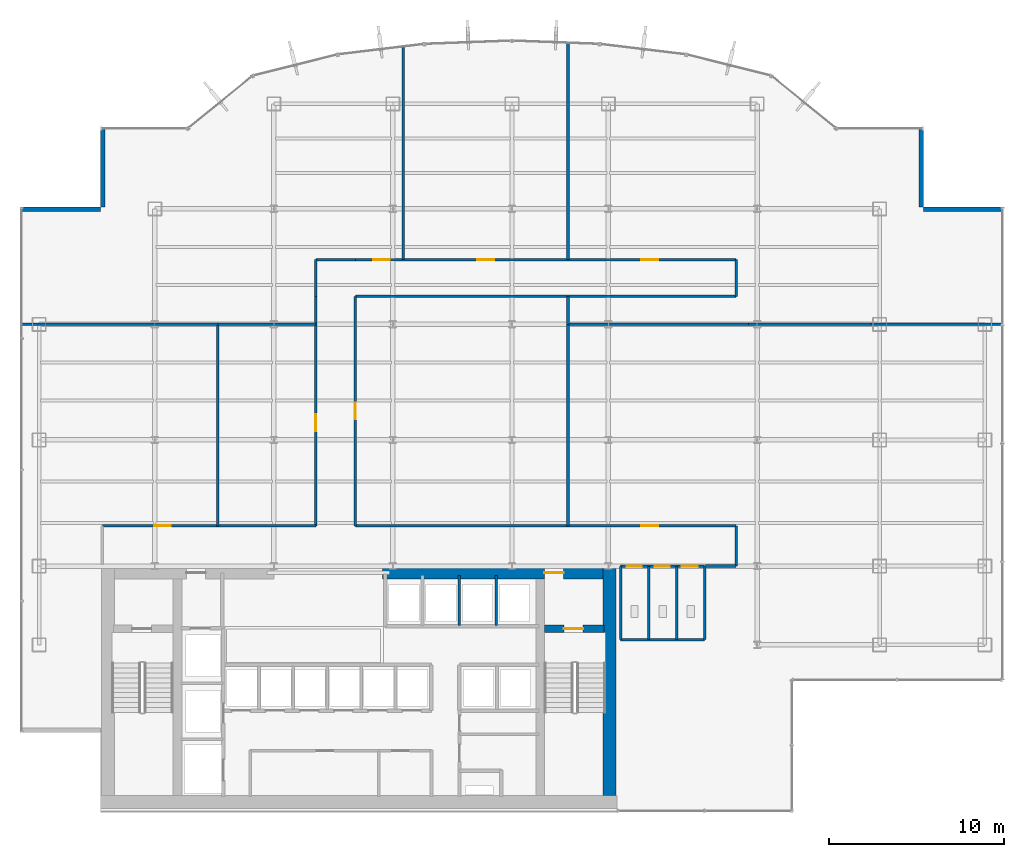
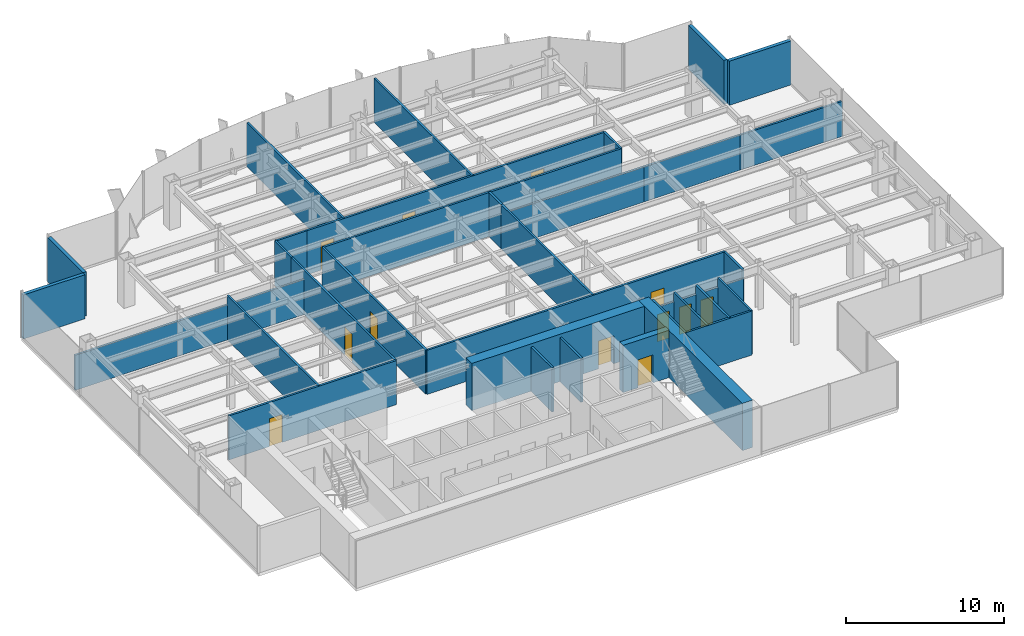
# One storey, part 22 of 26: 36 walls, 12 doors, 12 openings.
"""IFC4 building model written with IfcOpenShell, lengths in metres."""

from ifc_helpers import new_model, si_unit, derived_unit, direction, frame, frame_2d, origin, place, context, subcontext, project, spatial, rectangle, extrude, source, transform, mapped, material, layer, layer_set, type_object, element, fill, save


model = new_model("IFC4")

# Units and contexts
model_context = context("Model", 3, precision=1e-05, world=origin(), true_north=direction((0.0, 1.0)))
body_context = subcontext(model_context, "Body", "Model", "MODEL_VIEW")
ifc_project = project(units=[si_unit("LENGTHUNIT", "METRE"), si_unit("AREAUNIT", "SQUARE_METRE"), si_unit("VOLUMEUNIT", "CUBIC_METRE"), si_unit("PLANEANGLEUNIT", "RADIAN"), si_unit("MASSUNIT", "GRAM", prefix="KILO"), derived_unit("THERMALTRANSMITTANCEUNIT", [(si_unit("POWERUNIT", "WATT"), 1), (si_unit("LENGTHUNIT", "METRE"), -2), (si_unit("THERMODYNAMICTEMPERATUREUNIT", "KELVIN"), -1)])], contexts=[model_context])

# Site, building, storey
site_placement = place(None, origin())
site = spatial("IfcSite", under=ifc_project, at=site_placement, CompositionType="ELEMENT")
building_placement = place(site_placement, origin())
building = spatial("IfcBuilding", under=site, at=building_placement, Name="Skarnbrae Concourse Arena and Tower", CompositionType="ELEMENT")
storey_placement = place(building_placement, frame((0.0, 0.0, 92.300048828125)))
storey = spatial("IfcBuildingStorey", under=building, at=storey_placement, Name="L22", CompositionType="ELEMENT", Elevation=92.300048828125)

# Wall, opening, door
ifc_material_1 = material(Name="Concrete 50 MPa (C50/60)", Category="concrete")
ifc_layer_1 = layer(ifc_material_1, 0.449951171875)
ifc_layer_set_1 = layer_set([ifc_layer_1], Name="Concrete 50 MPa (C50/60)")
wall_type_1 = type_object("IfcWallType", Name="WALL-CORE-450-C50", PredefinedType="SHEAR", material=ifc_layer_set_1)
shared_shape_1 = source(origin(), body_context, "Body", "SweptSolid", [
    extrude(rectangle(XDim=3.389892578125, YDim=0.449951171875, at=frame_2d((1.69482421875, 0.0))), origin(), (0.0, 0.0, 1.0), 3.64990234375),
])
wall_1_placement = place(storey_placement, frame((29.860107421875, 10.419921875, 0.0), z_axis=(0.0, 0.0, 1.0), x_axis=(1.0, 0.0, 0.0)))
wall_1 = element("IfcWall", 1, at=wall_1_placement, inside=storey, type_object=wall_type_1, Name="L22 Rear core shear wall CW-ST2-N", PredefinedType="SHEAR", context=body_context, shape_type="MappedRepresentation", body=[
    mapped(shared_shape_1, transform((0.0, 0.0, 0.0))),
])
opening_1_placement = place(wall_1_placement, frame((1.10009765625, 0.0, 0.0)))
opening_1 = element("IfcOpeningElement", 2, at=opening_1_placement, cuts=wall_1, Name="Opening DT-03", PredefinedType="OPENING", context=body_context, shape_type="SweptSolid", body=[
    extrude(rectangle(XDim=1.10009765625, YDim=2.14990234375, at=frame_2d((0.550048828125, 1.074951171875))), frame((0.0, 0.23486328125, 0.0), z_axis=(0.0, -1.0, 0.0), x_axis=(1.0, 0.0, 0.0)), (0.0, 0.0, 1.0), 0.469970703125),
])
ifc_material_2 = material(Name="Steel CSA G40.21 350W", Category="steel")
door_type_1 = type_object("IfcDoorType", Name="DOOR-FIRE-1100-90M", OperationType="NOTDEFINED", PredefinedType="DOOR", material=ifc_material_2)
shared_shape_2 = source(origin(), body_context, "Body", "SweptSolid", [
    extrude(rectangle(XDim=1.10009765625, YDim=2.14990234375, at=frame_2d((0.550048828125, 1.074951171875))), frame((0.0, 0.02490234375, 0.0), z_axis=(0.0, -1.0, 0.0), x_axis=(1.0, 0.0, 0.0)), (0.0, 0.0, 1.0), 0.050048828125),
])
door_1_placement = place(opening_1_placement, frame((1.10009765625, 0.0, 0.0), z_axis=(0.0, 0.0, 1.0), x_axis=(-1.0, 0.0, 0.0)))
door_1 = element("IfcDoor", 3, at=door_1_placement, inside=storey, type_object=door_type_1, Name="D-0761 Stair ST-2 Door", OperationType="SINGLE_SWING_RIGHT", OverallHeight=2.14990234375, OverallWidth=1.10009765625, PredefinedType="DOOR", context=body_context, shape_type="MappedRepresentation", body=[
    mapped(shared_shape_2, transform((0.0, 0.0, 0.0))),
])
fill(opening_1, door_1)

# Wall
ifc_material_3 = material(Name="Concrete 60 MPa (C60/75)", Category="concrete")
ifc_layer_2 = layer(ifc_material_3, 0.75)
ifc_layer_set_2 = layer_set([ifc_layer_2], Name="Concrete 60 MPa (C60/75)")
wall_type_2 = type_object("IfcWallType", Name="WALL-CORE-750-C60", PredefinedType="SHEAR", material=ifc_layer_set_2)
shared_shape_3 = source(origin(), body_context, "Body", "SweptSolid", [
    extrude(rectangle(XDim=13.10009765625, YDim=0.75, at=frame_2d((6.550048828125, 0.0))), origin(), (0.0, 0.0, 1.0), 3.64990234375),
])
wall_2_placement = place(storey_placement, frame((33.574951171875, 0.89990234375, 0.0), z_axis=(0.0, 0.0, 1.0), x_axis=(0.0, 1.0, 0.0)))
element("IfcWall", 4, at=wall_2_placement, inside=storey, type_object=wall_type_2, Name="L22 Rear core shear wall CW-E", PredefinedType="SHEAR", context=body_context, shape_type="MappedRepresentation", body=[
    mapped(shared_shape_3, transform((0.0, 0.0, 0.0))),
])

# Wall, opening, door
shared_shape_4 = source(origin(), body_context, "Body", "SweptSolid", [
    extrude(rectangle(XDim=12.599853515625, YDim=0.75, at=frame_2d((6.2998046875, 0.0))), origin(), (0.0, 0.0, 1.0), 3.64990234375),
])
wall_3_placement = place(storey_placement, frame((20.60009765625, 13.625, 0.0), z_axis=(0.0, 0.0, 1.0), x_axis=(1.0, 0.0, 0.0)))
wall_3 = element("IfcWall", 5, at=wall_3_placement, inside=storey, type_object=wall_type_2, Name="L22 Rear core shear wall CW-NE", PredefinedType="SHEAR", context=body_context, shape_type="MappedRepresentation", body=[
    mapped(shared_shape_4, transform((0.0, 0.0, 0.0))),
])
opening_2_placement = place(wall_3_placement, frame((9.25, 0.0, 0.0)))
opening_2 = element("IfcOpeningElement", 6, at=opening_2_placement, cuts=wall_3, Name="Opening DT-03", PredefinedType="OPENING", context=body_context, shape_type="SweptSolid", body=[
    extrude(rectangle(XDim=1.10009765625, YDim=2.14990234375, at=frame_2d((0.550048828125, 1.074951171875))), frame((0.0, 0.385009765625, 0.0), z_axis=(0.0, -1.0, 0.0), x_axis=(1.0, 0.0, 0.0)), (0.0, 0.0, 1.0), 0.77001953125),
])
door_2_placement = place(opening_2_placement, origin())
door_2 = element("IfcDoor", 7, at=door_2_placement, inside=storey, type_object=door_type_1, Name="D-0763 Stair ST-2 Vestibule Door", OperationType="SINGLE_SWING_LEFT", OverallHeight=2.14990234375, OverallWidth=1.10009765625, PredefinedType="DOOR", context=body_context, shape_type="MappedRepresentation", body=[
    mapped(shared_shape_2, transform((0.0, 0.0, 0.0))),
])
fill(opening_2, door_2)

# Walls
ifc_material_4 = material(Name="Precast concrete 40 MPa (C40/50)", Category="concrete")
ifc_layer_3 = layer(ifc_material_4, 0.25)
ifc_layer_set_3 = layer_set([ifc_layer_3], Name="Precast concrete 40 MPa (C40/50)")
wall_type_3 = type_object("IfcWallType", Name="WALL-EXT-SPANDREL-250", PredefinedType="STANDARD", material=ifc_layer_set_3)
shared_shape_5 = source(origin(), body_context, "Body", "SweptSolid", [
    extrude(rectangle(XDim=4.5, YDim=0.25, at=frame_2d((2.25, 0.0))), origin(), (0.0, 0.0, 1.0), 3.39990234375),
])
for number, where, z_axis, x_axis, name in (
    (8, (56.0, 34.375, 0.0), (0.0, 0.0, 1.0), (-1.0, 0.0, 0.0), "L22 Notched corner insulated return wall 05"),
    (9, (51.375, 34.5, 0.0), (0.0, 0.0, 1.0), (0.0, 1.0, 0.0), "L22 Notched corner insulated return wall 06"),
    (10, (4.625, 39.0, 0.0), (0.0, 0.0, 1.0), (0.0, -1.0, 0.0), "L22 Notched corner insulated return wall 17"),
    (11, (4.5, 34.375, 0.0), (0.0, 0.0, 1.0), (-1.0, 0.0, 0.0), "L22 Notched corner insulated return wall 18"),
):
    element("IfcWall", number, at=place(storey_placement, frame(where, z_axis=z_axis, x_axis=x_axis)), inside=storey, type_object=wall_type_3, Name=name, PredefinedType="STANDARD", context=body_context, shape_type="MappedRepresentation", body=[
        mapped(shared_shape_5, transform((0.0, 0.0, 0.0))),
    ])
ifc_material_5 = material(Name="Gypsum board on cold-formed steel studs", Category="steel")
ifc_layer_4 = layer(ifc_material_5, 0.14990234375)
ifc_layer_set_4 = layer_set([ifc_layer_4], Name="Gypsum board on cold-formed steel studs")
wall_type_4 = type_object("IfcWallType", Name="WALL-PART-150", PredefinedType="PARTITIONING", material=ifc_layer_set_4)
shared_shape_6 = source(origin(), body_context, "Body", "SweptSolid", [
    extrude(rectangle(XDim=2.849853515625, YDim=0.14990234375, at=frame_2d((1.4248046875, 0.0))), origin(), (0.0, 0.0, 1.0), 3.39990234375),
])
for number, where, z_axis, x_axis, name in (
    (12, (24.989990234375, 10.60009765625, 0.0), (0.0, 0.0, 1.0), (0.0, 1.0, 0.0), "L22 Interior partition wall W-L22-B3N-P2"),
    (13, (27.090087890625, 10.60009765625, 0.0), (0.0, 0.0, 1.0), (0.0, 1.0, 0.0), "L22 Interior partition wall W-L22-B3N-P3"),
):
    element("IfcWall", number, at=place(storey_placement, frame(where, z_axis=z_axis, x_axis=x_axis)), inside=storey, type_object=wall_type_4, Name=name, PredefinedType="PARTITIONING", context=body_context, shape_type="MappedRepresentation", body=[
        mapped(shared_shape_6, transform((0.0, 0.0, 0.0))),
    ])
shared_shape_7 = source(origin(), body_context, "Body", "SweptSolid", [
    extrude(rectangle(XDim=4.800048828125, YDim=0.14990234375, at=frame_2d((2.39990234375, 0.0))), origin(), (0.0, 0.0, 1.0), 3.39990234375),
])
wall_4_placement = place(storey_placement, frame((34.199951171875, 9.800048828125, 0.0), z_axis=(0.0, 0.0, 1.0), x_axis=(1.0, 0.0, 0.0)))
element("IfcWall", 14, at=wall_4_placement, inside=storey, type_object=wall_type_4, Name="L22 Interior partition wall W-L22-WC-S", PredefinedType="PARTITIONING", context=body_context, shape_type="MappedRepresentation", body=[
    mapped(shared_shape_7, transform((0.0, 0.0, 0.0))),
])
shared_shape_8 = source(origin(), body_context, "Body", "SweptSolid", [
    extrude(rectangle(XDim=4.179931640625, YDim=0.14990234375, at=frame_2d((2.08984375, 0.0))), origin(), (0.0, 0.0, 1.0), 3.39990234375),
])
for number, where, z_axis, x_axis, name in (
    (15, (39.0, 9.800048828125, 0.0), (0.0, 0.0, 1.0), (0.0, 1.0, 0.0), "L22 Interior partition wall W-L22-WC-E"),
    (16, (34.199951171875, 9.800048828125, 0.0), (0.0, 0.0, 1.0), (0.0, 1.0, 0.0), "L22 Interior partition wall W-L22-WC-W"),
    (17, (35.800048828125, 9.800048828125, 0.0), (0.0, 0.0, 1.0), (0.0, 1.0, 0.0), "L22 Interior partition wall W-L22-WC-D1"),
    (18, (37.39990234375, 9.800048828125, 0.0), (0.0, 0.0, 1.0), (0.0, 1.0, 0.0), "L22 Interior partition wall W-L22-WC-D2"),
):
    element("IfcWall", number, at=place(storey_placement, frame(where, z_axis=z_axis, x_axis=x_axis)), inside=storey, type_object=wall_type_4, Name=name, PredefinedType="PARTITIONING", context=body_context, shape_type="MappedRepresentation", body=[
        mapped(shared_shape_8, transform((0.0, 0.0, 0.0))),
    ])
ifc_layer_5 = layer(ifc_material_5, 0.14990234375)
ifc_layer_set_5 = layer_set([ifc_layer_5], Name="Gypsum board on cold-formed steel studs")
wall_type_5 = type_object("IfcWallType", Name="WALL-PART-150-1HR", PredefinedType="PARTITIONING", material=ifc_layer_set_5)
shared_shape_9 = source(origin(), body_context, "Body", "SweptSolid", [
    extrude(rectangle(XDim=2.25, YDim=0.14990234375, at=frame_2d((1.125, 0.0))), origin(), (0.0, 0.0, 1.0), 3.39990234375),
])
wall_5_placement = place(storey_placement, frame((16.800048828125, 31.5, 0.0), z_axis=(0.0, 0.0, 1.0), x_axis=(1.0, 0.0, 0.0)))
element("IfcWall", 19, at=wall_5_placement, inside=storey, type_object=wall_type_5, Name="L22 Interior partition wall W-L22-COR-05", PredefinedType="PARTITIONING", context=body_context, shape_type="MappedRepresentation", body=[
    mapped(shared_shape_9, transform((0.0, 0.0, 0.0))),
])

# Wall, openings, doors
shared_shape_10 = source(origin(), body_context, "Body", "SweptSolid", [
    extrude(rectangle(XDim=4.800048828125, YDim=0.14990234375, at=frame_2d((2.39990234375, 0.0))), origin(), (0.0, 0.0, 1.0), 2.701904296875),
])
wall_6_placement = place(storey_placement, frame((34.199951171875, 13.97998046875, 0.0), z_axis=(0.0, 0.0, 1.0), x_axis=(1.0, 0.0, 0.0)))
wall_6 = element("IfcWall", 20, at=wall_6_placement, inside=storey, type_object=wall_type_4, Name="L22 Interior partition wall W-L22-WC-N", PredefinedType="PARTITIONING", context=body_context, shape_type="MappedRepresentation", body=[
    mapped(shared_shape_10, transform((0.0, 0.0, 0.0))),
])
opening_3_placement = place(wall_6_placement, frame((0.35009765625, 0.0, 0.0)))
opening_3 = element("IfcOpeningElement", 21, at=opening_3_placement, cuts=wall_6, Name="Opening DT-06", PredefinedType="OPENING", context=body_context, shape_type="SweptSolid", body=[
    extrude(rectangle(XDim=0.85009765625, YDim=2.10009765625, at=frame_2d((0.425048828125, 1.050048828125))), frame((0.0, 0.0849609375, 0.0), z_axis=(0.0, -1.0, 0.0), x_axis=(1.0, 0.0, 0.0)), (0.0, 0.0, 1.0), 0.169921875),
])
opening_4_placement = place(wall_6_placement, frame((1.949951171875, 0.0, 0.0)))
opening_4 = element("IfcOpeningElement", 22, at=opening_4_placement, cuts=wall_6, Name="Opening DT-06", PredefinedType="OPENING", context=body_context, shape_type="SweptSolid", body=[
    extrude(rectangle(XDim=0.85009765625, YDim=2.10009765625, at=frame_2d((0.425048828125, 1.050048828125))), frame((0.0, 0.0849609375, 0.0), z_axis=(0.0, -1.0, 0.0), x_axis=(1.0, 0.0, 0.0)), (0.0, 0.0, 1.0), 0.169921875),
])
opening_5_placement = place(wall_6_placement, frame((3.5, 0.0, 0.0)))
opening_5 = element("IfcOpeningElement", 23, at=opening_5_placement, cuts=wall_6, Name="Opening DT-05", PredefinedType="OPENING", context=body_context, shape_type="SweptSolid", body=[
    extrude(rectangle(XDim=0.89990234375, YDim=2.10009765625, at=frame_2d((0.449951171875, 1.050048828125))), frame((0.0, 0.0849609375, 0.0), z_axis=(0.0, -1.0, 0.0), x_axis=(1.0, 0.0, 0.0)), (0.0, 0.0, 1.0), 0.169921875),
])
ifc_material_6 = material(Name="Architectural oak veneer timber leaf", Category="wood")
door_type_2 = type_object("IfcDoorType", Name="DOOR-INT-850", OperationType="NOTDEFINED", PredefinedType="DOOR", material=ifc_material_6)
shared_shape_11 = source(origin(), body_context, "Body", "SweptSolid", [
    extrude(rectangle(XDim=0.85009765625, YDim=2.10009765625, at=frame_2d((0.425048828125, 1.050048828125))), frame((0.0, 0.02490234375, 0.0), z_axis=(0.0, -1.0, 0.0), x_axis=(1.0, 0.0, 0.0)), (0.0, 0.0, 1.0), 0.050048828125),
])
door_3_placement = place(opening_3_placement, frame((0.85009765625, 0.0, 0.0), z_axis=(0.0, 0.0, 1.0), x_axis=(-1.0, 0.0, 0.0)))
door_3 = element("IfcDoor", 24, at=door_3_placement, inside=storey, type_object=door_type_2, Name="D-0777 Male Washroom Door", OperationType="SINGLE_SWING_LEFT", OverallHeight=2.10009765625, OverallWidth=0.85009765625, PredefinedType="DOOR", context=body_context, shape_type="MappedRepresentation", body=[
    mapped(shared_shape_11, transform((0.0, 0.0, 0.0))),
])
fill(opening_3, door_3)
door_4_placement = place(opening_4_placement, frame((0.85009765625, 0.0, 0.0), z_axis=(0.0, 0.0, 1.0), x_axis=(-1.0, 0.0, 0.0)))
door_4 = element("IfcDoor", 25, at=door_4_placement, inside=storey, type_object=door_type_2, Name="D-0778 Female Washroom Door", OperationType="SINGLE_SWING_RIGHT", OverallHeight=2.10009765625, OverallWidth=0.85009765625, PredefinedType="DOOR", context=body_context, shape_type="MappedRepresentation", body=[
    mapped(shared_shape_11, transform((0.0, 0.0, 0.0))),
])
fill(opening_4, door_4)
door_type_3 = type_object("IfcDoorType", Name="DOOR-INT-900", OperationType="NOTDEFINED", PredefinedType="DOOR", material=ifc_material_6)
shared_shape_12 = source(origin(), body_context, "Body", "SweptSolid", [
    extrude(rectangle(XDim=0.89990234375, YDim=2.10009765625, at=frame_2d((0.449951171875, 1.050048828125))), frame((0.0, 0.02490234375, 0.0), z_axis=(0.0, -1.0, 0.0), x_axis=(1.0, 0.0, 0.0)), (0.0, 0.0, 1.0), 0.050048828125),
])
door_5_placement = place(opening_5_placement, frame((0.89990234375, 0.0, 0.0), z_axis=(0.0, 0.0, 1.0), x_axis=(-1.0, 0.0, 0.0)))
door_5 = element("IfcDoor", 26, at=door_5_placement, inside=storey, type_object=door_type_3, Name="D-0779 Accessible WC Door", OperationType="SINGLE_SWING_LEFT", OverallHeight=2.10009765625, OverallWidth=0.89990234375, PredefinedType="DOOR", context=body_context, shape_type="MappedRepresentation", body=[
    mapped(shared_shape_12, transform((0.0, 0.0, 0.0))),
])
fill(opening_5, door_5)

# Wall, opening, door
shared_shape_13 = source(origin(), body_context, "Body", "SweptSolid", [
    extrude(rectangle(XDim=12.199951171875, YDim=0.14990234375, at=frame_2d((6.10009765625, 0.0))), origin(), (0.0, 0.0, 1.0), 3.39990234375),
])
wall_7_placement = place(storey_placement, frame((4.60009765625, 16.300048828125, 0.0), z_axis=(0.0, 0.0, 1.0), x_axis=(1.0, 0.0, 0.0)))
wall_7 = element("IfcWall", 27, at=wall_7_placement, inside=storey, type_object=wall_type_5, Name="L22 Interior partition wall W-L22-COR-02", PredefinedType="PARTITIONING", context=body_context, shape_type="MappedRepresentation", body=[
    mapped(shared_shape_13, transform((0.0, 0.0, 0.0))),
])
opening_6_placement = place(wall_7_placement, frame((2.955078125, 0.0, 0.0)))
opening_6 = element("IfcOpeningElement", 28, at=opening_6_placement, cuts=wall_7, Name="Opening DT-04", PredefinedType="OPENING", context=body_context, shape_type="SweptSolid", body=[
    extrude(rectangle(XDim=0.949951171875, YDim=2.14990234375, at=frame_2d((0.47509765625, 1.074951171875))), frame((0.0, 0.0849609375, 0.0), z_axis=(0.0, -1.0, 0.0), x_axis=(1.0, 0.0, 0.0)), (0.0, 0.0, 1.0), 0.169921875),
])
door_type_4 = type_object("IfcDoorType", Name="DOOR-INT-950-45M", OperationType="NOTDEFINED", PredefinedType="DOOR", material=ifc_material_2)
shared_shape_14 = source(origin(), body_context, "Body", "SweptSolid", [
    extrude(rectangle(XDim=0.949951171875, YDim=2.14990234375, at=frame_2d((0.47509765625, 1.074951171875))), frame((0.0, 0.02490234375, 0.0), z_axis=(0.0, -1.0, 0.0), x_axis=(1.0, 0.0, 0.0)), (0.0, 0.0, 1.0), 0.050048828125),
])
door_6_placement = place(opening_6_placement, origin())
door_6 = element("IfcDoor", 29, at=door_6_placement, inside=storey, type_object=door_type_4, Name="D-0780 L22 Suite Door 01", OperationType="SINGLE_SWING_LEFT", OverallHeight=2.14990234375, OverallWidth=0.949951171875, PredefinedType="DOOR", context=body_context, shape_type="MappedRepresentation", body=[
    mapped(shared_shape_14, transform((0.0, 0.0, 0.0))),
])
fill(opening_6, door_6)

shared_shape_15 = source(origin(), body_context, "Body", "SweptSolid", [
    extrude(rectangle(XDim=13.099853515625, YDim=0.14990234375, at=frame_2d((6.5498046875, 0.0))), origin(), (0.0, 0.0, 1.0), 3.39990234375),
])
wall_8_placement = place(storey_placement, frame((16.800048828125, 16.300048828125, 0.0), z_axis=(0.0, 0.0, 1.0), x_axis=(0.0, 1.0, 0.0)))
wall_8 = element("IfcWall", 30, at=wall_8_placement, inside=storey, type_object=wall_type_5, Name="L22 Interior partition wall W-L22-COR-03", PredefinedType="PARTITIONING", context=body_context, shape_type="MappedRepresentation", body=[
    mapped(shared_shape_15, transform((0.0, 0.0, 0.0))),
])
opening_7_placement = place(wall_8_placement, frame((5.405029296875, 0.0, 0.0)))
opening_7 = element("IfcOpeningElement", 31, at=opening_7_placement, cuts=wall_8, Name="Opening DT-04", PredefinedType="OPENING", context=body_context, shape_type="SweptSolid", body=[
    extrude(rectangle(XDim=0.949951171875, YDim=2.14990234375, at=frame_2d((0.47509765625, 1.074951171875))), frame((0.0, 0.0849609375, 0.0), z_axis=(0.0, -1.0, 0.0), x_axis=(1.0, 0.0, 0.0)), (0.0, 0.0, 1.0), 0.169921875),
])
door_7_placement = place(opening_7_placement, origin())
door_7 = element("IfcDoor", 32, at=door_7_placement, inside=storey, type_object=door_type_4, Name="D-0782 L22 Suite Door 03", OperationType="SINGLE_SWING_LEFT", OverallHeight=2.14990234375, OverallWidth=0.949951171875, PredefinedType="DOOR", context=body_context, shape_type="MappedRepresentation", body=[
    mapped(shared_shape_14, transform((0.0, 0.0, 0.0))),
])
fill(opening_7, door_7)

wall_9_placement = place(storey_placement, frame((19.050048828125, 29.39990234375, 0.0), z_axis=(0.0, 0.0, 1.0), x_axis=(0.0, -1.0, 0.0)))
wall_9 = element("IfcWall", 33, at=wall_9_placement, inside=storey, type_object=wall_type_5, Name="L22 Interior partition wall W-L22-COR-09", PredefinedType="PARTITIONING", context=body_context, shape_type="MappedRepresentation", body=[
    mapped(shared_shape_15, transform((0.0, 0.0, 0.0))),
])
opening_8_placement = place(wall_9_placement, frame((6.074951171875, 0.0, 0.0)))
opening_8 = element("IfcOpeningElement", 34, at=opening_8_placement, cuts=wall_9, Name="Opening DT-04", PredefinedType="OPENING", context=body_context, shape_type="SweptSolid", body=[
    extrude(rectangle(XDim=0.949951171875, YDim=2.14990234375, at=frame_2d((0.47509765625, 1.074951171875))), frame((0.0, 0.0849609375, 0.0), z_axis=(0.0, -1.0, 0.0), x_axis=(1.0, 0.0, 0.0)), (0.0, 0.0, 1.0), 0.169921875),
])
door_8_placement = place(opening_8_placement, origin())
door_8 = element("IfcDoor", 35, at=door_8_placement, inside=storey, type_object=door_type_4, Name="D-0783 L22 Suite Door 04", OperationType="SINGLE_SWING_RIGHT", OverallHeight=2.14990234375, OverallWidth=0.949951171875, PredefinedType="DOOR", context=body_context, shape_type="MappedRepresentation", body=[
    mapped(shared_shape_14, transform((0.0, 0.0, 0.0))),
])
fill(opening_8, door_8)

# Walls
shared_shape_16 = source(origin(), body_context, "Body", "SweptSolid", [
    extrude(rectangle(XDim=2.10009765625, YDim=0.14990234375, at=frame_2d((1.050048828125, 0.0))), origin(), (0.0, 0.0, 1.0), 3.39990234375),
])
for number, where, z_axis, x_axis, name in (
    (36, (16.800048828125, 29.39990234375, 0.0), (0.0, 0.0, 1.0), (0.0, 1.0, 0.0), "L22 Interior partition wall W-L22-COR-04"),
    (37, (40.800048828125, 31.5, 0.0), (0.0, 0.0, 1.0), (0.0, -1.0, 0.0), "L22 Interior partition wall W-L22-COR-07"),
):
    element("IfcWall", number, at=place(storey_placement, frame(where, z_axis=z_axis, x_axis=x_axis)), inside=storey, type_object=wall_type_5, Name=name, PredefinedType="PARTITIONING", context=body_context, shape_type="MappedRepresentation", body=[
        mapped(shared_shape_16, transform((0.0, 0.0, 0.0))),
    ])

# Wall, openings, doors
shared_shape_17 = source(origin(), body_context, "Body", "SweptSolid", [
    extrude(rectangle(XDim=21.75, YDim=0.14990234375, at=frame_2d((10.875, 0.0))), origin(), (0.0, 0.0, 1.0), 3.39990234375),
])
wall_10_placement = place(storey_placement, frame((19.050048828125, 31.5, 0.0), z_axis=(0.0, 0.0, 1.0), x_axis=(1.0, 0.0, 0.0)))
wall_10 = element("IfcWall", 38, at=wall_10_placement, inside=storey, type_object=wall_type_5, Name="L22 Interior partition wall W-L22-COR-06", PredefinedType="PARTITIONING", context=body_context, shape_type="MappedRepresentation", body=[
    mapped(shared_shape_17, transform((0.0, 0.0, 0.0))),
])
opening_9_placement = place(wall_10_placement, frame((1.030029296875, 0.0, 0.0)))
opening_9 = element("IfcOpeningElement", 39, at=opening_9_placement, cuts=wall_10, Name="Opening DT-04", PredefinedType="OPENING", context=body_context, shape_type="SweptSolid", body=[
    extrude(rectangle(XDim=0.949951171875, YDim=2.14990234375, at=frame_2d((0.47509765625, 1.074951171875))), frame((0.0, 0.0849609375, 0.0), z_axis=(0.0, -1.0, 0.0), x_axis=(1.0, 0.0, 0.0)), (0.0, 0.0, 1.0), 0.169921875),
])
opening_10_placement = place(wall_10_placement, frame((6.97509765625, 0.0, 0.0)))
opening_10 = element("IfcOpeningElement", 40, at=opening_10_placement, cuts=wall_10, Name="Opening DT-04", PredefinedType="OPENING", context=body_context, shape_type="SweptSolid", body=[
    extrude(rectangle(XDim=0.949951171875, YDim=2.14990234375, at=frame_2d((0.47509765625, 1.074951171875))), frame((0.0, 0.0849609375, 0.0), z_axis=(0.0, -1.0, 0.0), x_axis=(1.0, 0.0, 0.0)), (0.0, 0.0, 1.0), 0.169921875),
])
opening_11_placement = place(wall_10_placement, frame((16.344970703125, 0.0, 0.0)))
opening_11 = element("IfcOpeningElement", 41, at=opening_11_placement, cuts=wall_10, Name="Opening DT-04", PredefinedType="OPENING", context=body_context, shape_type="SweptSolid", body=[
    extrude(rectangle(XDim=0.949951171875, YDim=2.14990234375, at=frame_2d((0.47509765625, 1.074951171875))), frame((0.0, 0.0849609375, 0.0), z_axis=(0.0, -1.0, 0.0), x_axis=(1.0, 0.0, 0.0)), (0.0, 0.0, 1.0), 0.169921875),
])
door_9_placement = place(opening_9_placement, origin())
door_9 = element("IfcDoor", 42, at=door_9_placement, inside=storey, type_object=door_type_4, Name="D-0781 L22 Suite Door 02", OperationType="SINGLE_SWING_RIGHT", OverallHeight=2.14990234375, OverallWidth=0.949951171875, PredefinedType="DOOR", context=body_context, shape_type="MappedRepresentation", body=[
    mapped(shared_shape_14, transform((0.0, 0.0, 0.0))),
])
fill(opening_9, door_9)
door_10_placement = place(opening_10_placement, origin())
door_10 = element("IfcDoor", 43, at=door_10_placement, inside=storey, type_object=door_type_4, Name="D-0784 L22 Suite Door 05", OperationType="SINGLE_SWING_LEFT", OverallHeight=2.14990234375, OverallWidth=0.949951171875, PredefinedType="DOOR", context=body_context, shape_type="MappedRepresentation", body=[
    mapped(shared_shape_14, transform((0.0, 0.0, 0.0))),
])
fill(opening_10, door_10)
door_11_placement = place(opening_11_placement, origin())
door_11 = element("IfcDoor", 44, at=door_11_placement, inside=storey, type_object=door_type_4, Name="D-0785 L22 Suite Door 06", OperationType="SINGLE_SWING_RIGHT", OverallHeight=2.14990234375, OverallWidth=0.949951171875, PredefinedType="DOOR", context=body_context, shape_type="MappedRepresentation", body=[
    mapped(shared_shape_14, transform((0.0, 0.0, 0.0))),
])
fill(opening_11, door_11)

# Wall
wall_11_placement = place(storey_placement, frame((40.800048828125, 29.39990234375, 0.0), z_axis=(0.0, 0.0, 1.0), x_axis=(-1.0, 0.0, 0.0)))
element("IfcWall", 45, at=wall_11_placement, inside=storey, type_object=wall_type_5, Name="L22 Interior partition wall W-L22-COR-08", PredefinedType="PARTITIONING", context=body_context, shape_type="MappedRepresentation", body=[
    mapped(shared_shape_17, transform((0.0, 0.0, 0.0))),
])

# Wall, opening, door
wall_12_placement = place(storey_placement, frame((19.050048828125, 16.300048828125, 0.0), z_axis=(0.0, 0.0, 1.0), x_axis=(1.0, 0.0, 0.0)))
wall_12 = element("IfcWall", 46, at=wall_12_placement, inside=storey, type_object=wall_type_5, Name="L22 Interior partition wall W-L22-COR-10", PredefinedType="PARTITIONING", context=body_context, shape_type="MappedRepresentation", body=[
    mapped(shared_shape_17, transform((0.0, 0.0, 0.0))),
])
opening_12_placement = place(wall_12_placement, frame((16.344970703125, 0.0, 0.0)))
opening_12 = element("IfcOpeningElement", 47, at=opening_12_placement, cuts=wall_12, Name="Opening DT-04", PredefinedType="OPENING", context=body_context, shape_type="SweptSolid", body=[
    extrude(rectangle(XDim=0.949951171875, YDim=2.14990234375, at=frame_2d((0.47509765625, 1.074951171875))), frame((0.0, 0.0849609375, 0.0), z_axis=(0.0, -1.0, 0.0), x_axis=(1.0, 0.0, 0.0)), (0.0, 0.0, 1.0), 0.169921875),
])
door_12_placement = place(opening_12_placement, origin())
door_12 = element("IfcDoor", 48, at=door_12_placement, inside=storey, type_object=door_type_4, Name="D-0786 L22 Suite Door 07", OperationType="SINGLE_SWING_LEFT", OverallHeight=2.14990234375, OverallWidth=0.949951171875, PredefinedType="DOOR", context=body_context, shape_type="MappedRepresentation", body=[
    mapped(shared_shape_14, transform((0.0, 0.0, 0.0))),
])
fill(opening_12, door_12)

# Walls
shared_shape_18 = source(origin(), body_context, "Body", "SweptSolid", [
    extrude(rectangle(XDim=2.300048828125, YDim=0.14990234375, at=frame_2d((1.14990234375, 0.0))), origin(), (0.0, 0.0, 1.0), 3.39990234375),
])
wall_13_placement = place(storey_placement, frame((40.800048828125, 16.300048828125, 0.0), z_axis=(0.0, 0.0, 1.0), x_axis=(0.0, -1.0, 0.0)))
element("IfcWall", 49, at=wall_13_placement, inside=storey, type_object=wall_type_5, Name="L22 Interior partition wall W-L22-COR-11", PredefinedType="PARTITIONING", context=body_context, shape_type="MappedRepresentation", body=[
    mapped(shared_shape_18, transform((0.0, 0.0, 0.0))),
])
shared_shape_19 = source(origin(), body_context, "Body", "SweptSolid", [
    extrude(rectangle(XDim=1.75, YDim=0.14990234375, at=frame_2d((0.875, 0.0))), origin(), (0.0, 0.0, 1.0), 2.701904296875),
])
wall_14_placement = place(storey_placement, frame((40.800048828125, 14.0, 0.0), z_axis=(0.0, 0.0, 1.0), x_axis=(-1.0, 0.0, 0.0)))
element("IfcWall", 50, at=wall_14_placement, inside=storey, type_object=wall_type_5, Name="L22 Interior partition wall W-L22-COR-12", PredefinedType="PARTITIONING", context=body_context, shape_type="MappedRepresentation", body=[
    mapped(shared_shape_19, transform((0.0, 0.0, 0.0))),
])
shared_shape_20 = source(origin(), body_context, "Body", "SweptSolid", [
    extrude(rectangle(XDim=11.179931640625, YDim=0.14990234375, at=frame_2d((5.58984375, 0.0))), origin(), (0.0, 0.0, 1.0), 2.701904296875),
])
wall_15_placement = place(storey_placement, frame((0.02001953125, 27.800048828125, 0.0), z_axis=(0.0, 0.0, 1.0), x_axis=(1.0, 0.0, 0.0)))
element("IfcWall", 51, at=wall_15_placement, inside=storey, type_object=wall_type_4, Name="L22 Interior partition wall W-L22-DEM-13", PredefinedType="PARTITIONING", context=body_context, shape_type="MappedRepresentation", body=[
    mapped(shared_shape_20, transform((0.0, 0.0, 0.0))),
])
shared_shape_21 = source(origin(), body_context, "Body", "SweptSolid", [
    extrude(rectangle(XDim=11.5, YDim=0.14990234375, at=frame_2d((5.75, 0.0))), origin(), (0.0, 0.0, 1.0), 3.39990234375),
])
for number, where, z_axis, x_axis, name in (
    (52, (11.199951171875, 27.800048828125, 0.0), (0.0, 0.0, 1.0), (0.0, -1.0, 0.0), "L22 Interior partition wall W-L22-DEM-14"),
    (53, (31.199951171875, 27.800048828125, 0.0), (0.0, 0.0, 1.0), (0.0, -1.0, 0.0), "L22 Interior partition wall W-L22-DEM-17"),
):
    element("IfcWall", number, at=place(storey_placement, frame(where, z_axis=z_axis, x_axis=x_axis)), inside=storey, type_object=wall_type_4, Name=name, PredefinedType="PARTITIONING", context=body_context, shape_type="MappedRepresentation", body=[
        mapped(shared_shape_21, transform((0.0, 0.0, 0.0))),
    ])
shared_shape_22 = source(origin(), body_context, "Body", "SweptSolid", [
    extrude(rectangle(XDim=5.60009765625, YDim=0.14990234375, at=frame_2d((2.800048828125, 0.0))), origin(), (0.0, 0.0, 1.0), 2.701904296875),
])
wall_16_placement = place(storey_placement, frame((16.800048828125, 27.800048828125, 0.0), z_axis=(0.0, 0.0, 1.0), x_axis=(-1.0, 0.0, 0.0)))
element("IfcWall", 54, at=wall_16_placement, inside=storey, type_object=wall_type_4, Name="L22 Interior partition wall W-L22-DEM-15", PredefinedType="PARTITIONING", context=body_context, shape_type="MappedRepresentation", body=[
    mapped(shared_shape_22, transform((0.0, 0.0, 0.0))),
])
shared_shape_23 = source(origin(), body_context, "Body", "SweptSolid", [
    extrude(rectangle(XDim=12.1484375, YDim=0.14990234375, at=frame_2d((6.07421875, 0.0))), origin(), (0.0, 0.0, 1.0), 3.39990234375),
])
wall_17_placement = place(storey_placement, frame((21.800048828125, 43.6484375, 0.0), z_axis=(0.0, 0.0, 1.0), x_axis=(0.0, -1.0, 0.0)))
element("IfcWall", 55, at=wall_17_placement, inside=storey, type_object=wall_type_4, Name="L22 Interior partition wall W-L22-DEM-16", PredefinedType="PARTITIONING", context=body_context, shape_type="MappedRepresentation", body=[
    mapped(shared_shape_23, transform((0.0, 0.0, 0.0))),
])
shared_shape_24 = source(origin(), body_context, "Body", "SweptSolid", [
    extrude(rectangle(XDim=7.47998046875, YDim=0.14990234375, at=frame_2d((3.739990234375, 0.0))), origin(), (0.0, 0.0, 1.0), 2.701904296875),
])
wall_18_placement = place(storey_placement, frame((55.97998046875, 27.800048828125, 0.0), z_axis=(0.0, 0.0, 1.0), x_axis=(-1.0, 0.0, 0.0)))
element("IfcWall", 56, at=wall_18_placement, inside=storey, type_object=wall_type_4, Name="L22 Interior partition wall W-L22-DEM-18", PredefinedType="PARTITIONING", context=body_context, shape_type="MappedRepresentation", body=[
    mapped(shared_shape_24, transform((0.0, 0.0, 0.0))),
])
shared_shape_25 = source(origin(), body_context, "Body", "SweptSolid", [
    extrude(rectangle(XDim=7.0, YDim=0.14990234375, at=frame_2d((3.5, 0.0))), origin(), (0.0, 0.0, 1.0), 2.701904296875),
])
wall_19_placement = place(storey_placement, frame((48.5, 27.800048828125, 0.0), z_axis=(0.0, 0.0, 1.0), x_axis=(-1.0, 0.0, 0.0)))
element("IfcWall", 57, at=wall_19_placement, inside=storey, type_object=wall_type_4, Name="L22 Interior partition wall W-L22-DEM-19", PredefinedType="PARTITIONING", context=body_context, shape_type="MappedRepresentation", body=[
    mapped(shared_shape_25, transform((0.0, 0.0, 0.0))),
])
shared_shape_26 = source(origin(), body_context, "Body", "SweptSolid", [
    extrude(rectangle(XDim=10.300048828125, YDim=0.14990234375, at=frame_2d((5.14990234375, 0.0))), origin(), (0.0, 0.0, 1.0), 2.701904296875),
])
wall_20_placement = place(storey_placement, frame((41.5, 27.800048828125, 0.0), z_axis=(0.0, 0.0, 1.0), x_axis=(-1.0, 0.0, 0.0)))
element("IfcWall", 58, at=wall_20_placement, inside=storey, type_object=wall_type_4, Name="L22 Interior partition wall W-L22-DEM-20", PredefinedType="PARTITIONING", context=body_context, shape_type="MappedRepresentation", body=[
    mapped(shared_shape_26, transform((0.0, 0.0, 0.0))),
])
shared_shape_27 = source(origin(), body_context, "Body", "SweptSolid", [
    extrude(rectangle(XDim=1.599853515625, YDim=0.14990234375, at=frame_2d((0.7998046875, 0.0))), origin(), (0.0, 0.0, 1.0), 3.39990234375),
])
wall_21_placement = place(storey_placement, frame((31.199951171875, 29.39990234375, 0.0), z_axis=(0.0, 0.0, 1.0), x_axis=(0.0, -1.0, 0.0)))
element("IfcWall", 59, at=wall_21_placement, inside=storey, type_object=wall_type_4, Name="L22 Interior partition wall W-L22-DEM-21", PredefinedType="PARTITIONING", context=body_context, shape_type="MappedRepresentation", body=[
    mapped(shared_shape_27, transform((0.0, 0.0, 0.0))),
])
shared_shape_28 = source(origin(), body_context, "Body", "SweptSolid", [
    extrude(rectangle(XDim=12.36083984375, YDim=0.14990234375, at=frame_2d((6.180419921875, 0.0))), origin(), (0.0, 0.0, 1.0), 3.39990234375),
])
wall_22_placement = place(storey_placement, frame((31.199951171875, 43.86083984375, 0.0), z_axis=(0.0, 0.0, 1.0), x_axis=(0.0, -1.0, 0.0)))
element("IfcWall", 60, at=wall_22_placement, inside=storey, type_object=wall_type_4, Name="L22 Interior partition wall W-L22-DEM-22", PredefinedType="PARTITIONING", context=body_context, shape_type="MappedRepresentation", body=[
    mapped(shared_shape_28, transform((0.0, 0.0, 0.0))),
])

save(model, "model.ifc")
